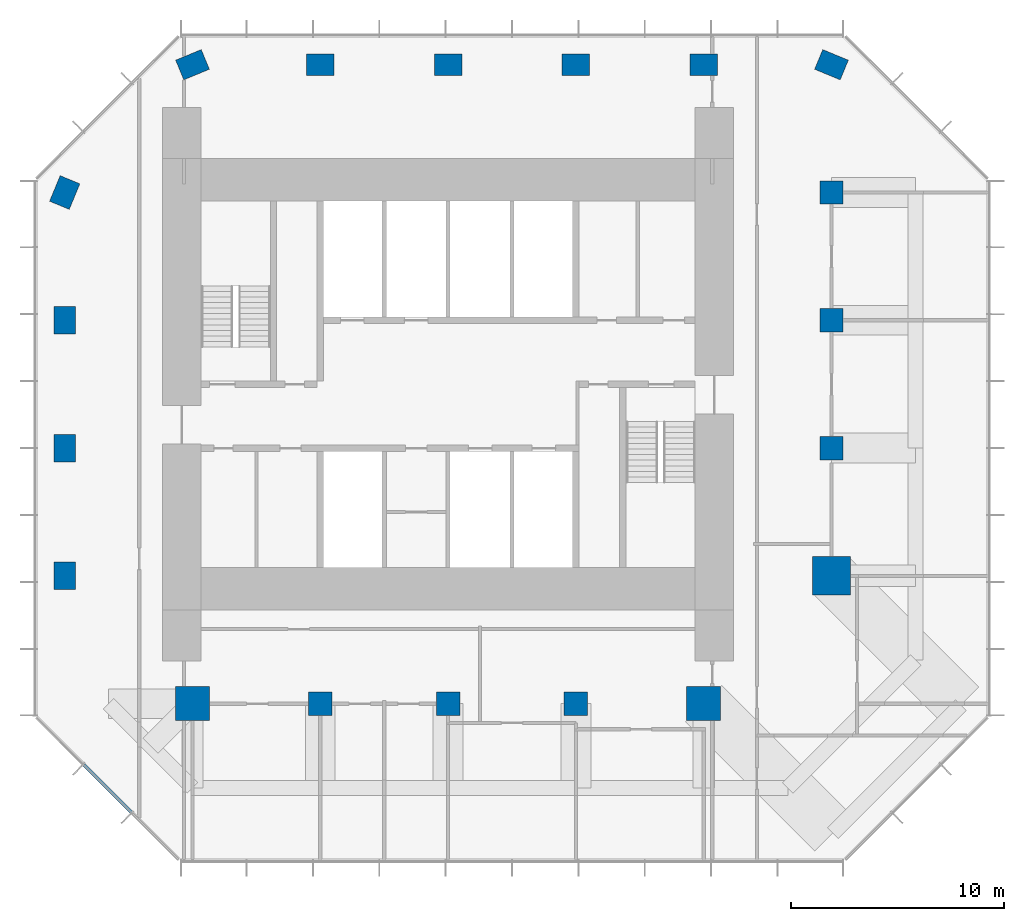
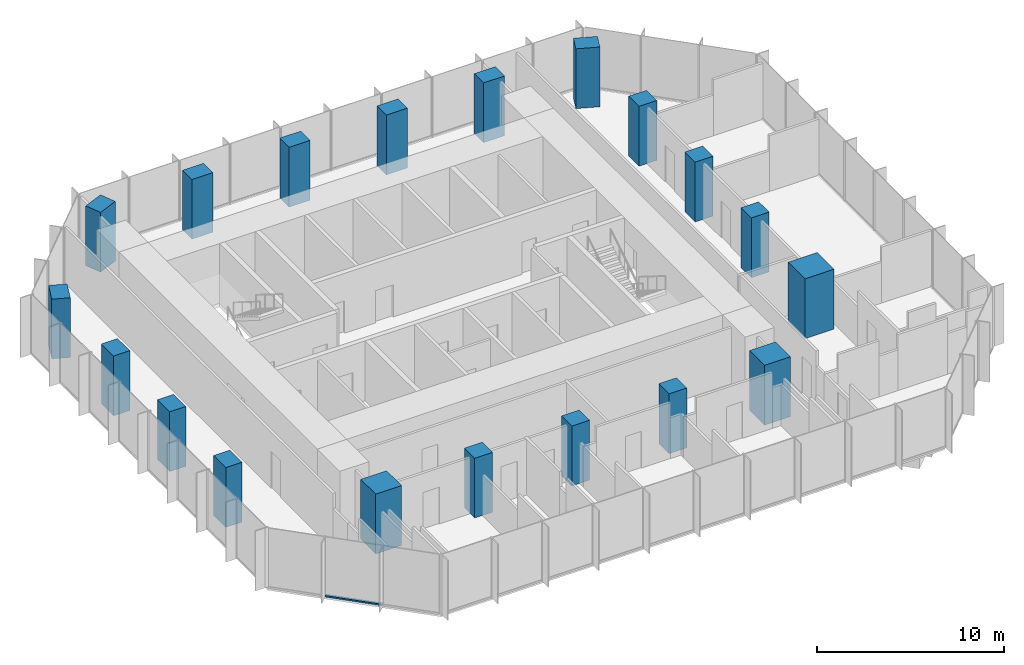
# One storey, part 1 of 11: 19 columns, 1 member, 1 element without a shape of its own.
"""IFC4 building model written with IfcOpenShell, lengths in metres."""

from ifc_helpers import new_model, si_unit, direction, frame, origin, origin_2d, place, context, subcontext, project, spatial, rectangle, extrude, material, layer, layer_set, material_profile, profile_set, type_object, element, aggregate, save


model = new_model("IFC4")

# Units and contexts
model_context = context("Model", 3, precision=1e-05, world=origin(), true_north=direction((0.0, 1.0)))
body_context = subcontext(model_context, "Body", "Model", "MODEL_VIEW")
ifc_project = project(units=[si_unit("LENGTHUNIT", "METRE"), si_unit("AREAUNIT", "SQUARE_METRE"), si_unit("VOLUMEUNIT", "CUBIC_METRE"), si_unit("PLANEANGLEUNIT", "RADIAN"), si_unit("MASSUNIT", "GRAM", prefix="KILO")], contexts=[model_context])

# Site, building, storey
site_placement = place(None, origin())
site = spatial("IfcSite", under=ifc_project, at=site_placement, CompositionType="ELEMENT")
building_placement = place(site_placement, origin())
building = spatial("IfcBuilding", under=site, at=building_placement, Name="Highveld Stack Headquarters", CompositionType="ELEMENT")
storey_placement = place(building_placement, frame((0.0, 0.0, 276.199951171875)))
storey = spatial("IfcBuildingStorey", under=building, at=storey_placement, Name="L68", CompositionType="ELEMENT", Elevation=276.199951171875)

# Columns
ifc_material_1 = material(Name="Concrete C60/75", Category="concrete")
ifc_material_profile_1 = material_profile(ifc_material_1, rectangle(XDim=1.10009765625, YDim=1.10009765625, at=origin_2d()), Name="RC 1100x1100")
ifc_profile_set_1 = profile_set([ifc_material_profile_1], Name="Concrete C60/75")
column_type_1 = type_object("IfcColumnType", Name="COLUMN RC 1100x1100 C60/75", PredefinedType="COLUMN", material=ifc_profile_set_1)
for number, where, z_axis, x_axis, name in (
    (1, (0.0, -12.0, 0.0), (0.0, 0.0, 1.0), (1.0, 0.0, 0.0), "Column 6/C L68"),
    (2, (6.0, -12.0, 0.0), (0.0, 0.0, 1.0), (1.0, 0.0, 0.0), "Column 7/C L68"),
    (3, (12.0, -12.0, 0.0), (0.0, 0.0, 1.0), (1.0, 0.0, 0.0), "Column 8/C L68"),
    (4, (24.0, 0.0, 0.0), (0.0, 0.0, 1.0), (1.0, 0.0, 0.0), "Column 10/E L68"),
    (5, (24.0, 6.0, 0.0), (0.0, 0.0, 1.0), (1.0, 0.0, 0.0), "Column 10/F L68"),
    (6, (24.0, 12.0, 0.0), (0.0, 0.0, 1.0), (1.0, 0.0, 0.0), "Column 10/G L68"),
):
    element("IfcColumn", number, at=place(storey_placement, frame(where, z_axis=z_axis, x_axis=x_axis)), inside=storey, type_object=column_type_1, Name=name, PredefinedType="COLUMN", context=body_context, shape_type="SweptSolid", body=[
        extrude(rectangle(XDim=1.10009765625, YDim=1.10009765625, at=origin_2d()), origin(), (0.0, 0.0, 1.0), 3.900146484375),
    ])
ifc_material_2 = material(Name="Concrete C60/75", Category="concrete")
ifc_material_profile_2 = material_profile(ifc_material_2, rectangle(XDim=1.300048828125, YDim=1.0, at=origin_2d()), Name="RC 1300x1000")
ifc_profile_set_2 = profile_set([ifc_material_profile_2], Name="Concrete C60/75")
column_type_2 = type_object("IfcColumnType", Name="COLUMN RC 1300x1000 C60/75", PredefinedType="COLUMN", material=ifc_profile_set_2)
for number, where, z_axis, x_axis, name in (
    (7, (-12.0, -6.0, 0.0), (0.0, 0.0, 1.0), (0.0, 1.0, 0.0), "Column 4/D L68"),
    (8, (-12.0, 0.0, 0.0), (0.0, 0.0, 1.0), (0.0, 1.0, 0.0), "Column 4/E L68"),
    (9, (-12.0, 6.0, 0.0), (0.0, 0.0, 1.0), (0.0, 1.0, 0.0), "Column 4/F L68"),
    (10, (-12.0, 12.0, 0.0), (0.0, 0.0, 1.0), (0.382683432365, 0.923879532511, 0.0), "Column 4/G L68"),
    (11, (-6.0, 18.0, 0.0), (0.0, 0.0, 1.0), (0.923879532511, 0.382683432365, 0.0), "Column 5/H L68"),
    (12, (0.0, 18.0, 0.0), (0.0, 0.0, 1.0), (1.0, 0.0, 0.0), "Column 6/H L68"),
    (13, (6.0, 18.0, 0.0), (0.0, 0.0, 1.0), (1.0, 0.0, 0.0), "Column 7/H L68"),
    (14, (12.0, 18.0, 0.0), (0.0, 0.0, 1.0), (1.0, 0.0, 0.0), "Column 8/H L68"),
    (15, (18.0, 18.0, 0.0), (0.0, 0.0, 1.0), (1.0, 0.0, 0.0), "Column 9/H L68"),
    (16, (24.0, 18.0, 0.0), (0.0, 0.0, 1.0), (0.923879532511, -0.382683432365, 0.0), "Column 10/H L68"),
):
    element("IfcColumn", number, at=place(storey_placement, frame(where, z_axis=z_axis, x_axis=x_axis)), inside=storey, type_object=column_type_2, Name=name, PredefinedType="COLUMN", context=body_context, shape_type="SweptSolid", body=[
        extrude(rectangle(XDim=1.300048828125, YDim=1.0, at=origin_2d()), origin(), (0.0, 0.0, 1.0), 3.900146484375),
    ])
ifc_material_3 = material(Name="Concrete C60/75", Category="concrete")
ifc_material_profile_3 = material_profile(ifc_material_3, rectangle(XDim=1.60009765625, YDim=1.60009765625, at=origin_2d()), Name="RC 1600x1600")
ifc_profile_set_3 = profile_set([ifc_material_profile_3], Name="Concrete C60/75")
column_type_3 = type_object("IfcColumnType", Name="COLUMN RC 1600x1600 C60/75", PredefinedType="COLUMN", material=ifc_profile_set_3)
for number, where, z_axis, x_axis, name in (
    (17, (-6.0, -12.0, 0.0), (0.0, 0.0, 1.0), (1.0, 0.0, 0.0), "Column 5/C L68"),
    (18, (18.0, -12.0, 0.0), (0.0, 0.0, 1.0), (1.0, 0.0, 0.0), "Column 9/C L68"),
):
    element("IfcColumn", number, at=place(storey_placement, frame(where, z_axis=z_axis, x_axis=x_axis)), inside=storey, type_object=column_type_3, Name=name, PredefinedType="COLUMN", context=body_context, shape_type="SweptSolid", body=[
        extrude(rectangle(XDim=1.60009765625, YDim=1.60009765625, at=origin_2d()), origin(), (0.0, 0.0, 1.0), 3.900146484375),
    ])
ifc_material_4 = material(Name="Concrete C60/75", Category="concrete")
ifc_material_profile_4 = material_profile(ifc_material_4, rectangle(XDim=1.800048828125, YDim=1.800048828125, at=origin_2d()), Name="RC 1800x1800")
ifc_profile_set_4 = profile_set([ifc_material_profile_4], Name="Concrete C60/75")
column_type_4 = type_object("IfcColumnType", Name="COLUMN RC 1800x1800 C60/75", PredefinedType="COLUMN", material=ifc_profile_set_4)
column_placement = place(storey_placement, frame((24.0, -6.0, 0.0), z_axis=(0.0, 0.0, 1.0), x_axis=(1.0, 0.0, 0.0)))
element("IfcColumn", 19, at=column_placement, inside=storey, type_object=column_type_4, Name="Column 10/D L68", PredefinedType="COLUMN", context=body_context, shape_type="SweptSolid", body=[
    extrude(rectangle(XDim=1.800048828125, YDim=1.800048828125, at=origin_2d()), origin(), (0.0, 0.0, 1.0), 3.900146484375),
])

# Curtain wall, member
ifc_material_5 = material(Name="Aluminium bronze anodised", Category="aluminium")
ifc_layer = layer(ifc_material_5, 0.199951171875)
ifc_layer_set = layer_set([ifc_layer], Name="Aluminium bronze anodised")
curtain_wall_type = type_object("IfcCurtainWallType", Name="CW5 EXECUTIVE UNITISED CURTAIN WALL", PredefinedType="NOTDEFINED", material=ifc_layer_set)
curtain_wall_placement = place(storey_placement, origin())
curtain_wall = element("IfcCurtainWall", 20, at=curtain_wall_placement, inside=storey, type_object=curtain_wall_type, Name="Curtain wall CW5 L68 SW", PredefinedType="NOTDEFINED")
ifc_material_6 = material(Name="Aluminium bronze anodised", Category="aluminium")
ifc_material_profile_5 = material_profile(ifc_material_6, rectangle(XDim=0.14990234375, YDim=0.10009765625, at=origin_2d()), Name="CW5 TRANSOM 150x100")
ifc_profile_set_5 = profile_set([ifc_material_profile_5], Name="Aluminium bronze anodised")
member_type = type_object("IfcMemberType", Name="CW5 STACK TRANSOM 150x100", PredefinedType="USERDEFINED", material=ifc_profile_set_5)
member_placement = place(storey_placement, frame((-11.103759765625, -14.876220703125, 0.050048828125), z_axis=(0.707106781187, -0.707106781187, 0.0), x_axis=(0.707106781187, 0.707106781187, 0.0)))
member = element("IfcMember", 21, at=member_placement, type_object=member_type, Name="CW5 transom L68 2.1", ObjectType="TRANSOM", PredefinedType="USERDEFINED", context=body_context, shape_type="SweptSolid", body=[
    extrude(rectangle(XDim=0.14990234375, YDim=0.10009765625, at=origin_2d()), origin(), (0.0, 0.0, 1.0), 3.150146484375),
])
aggregate(curtain_wall, [member])

save(model, "model.ifc")
